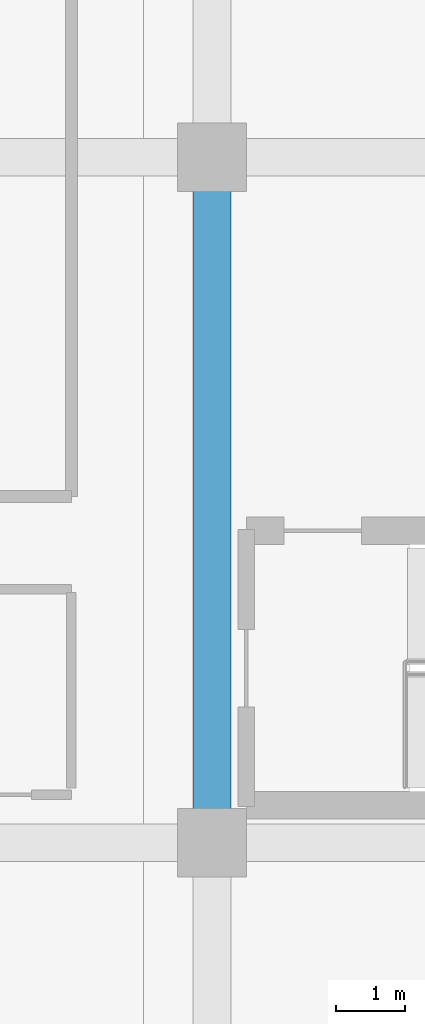
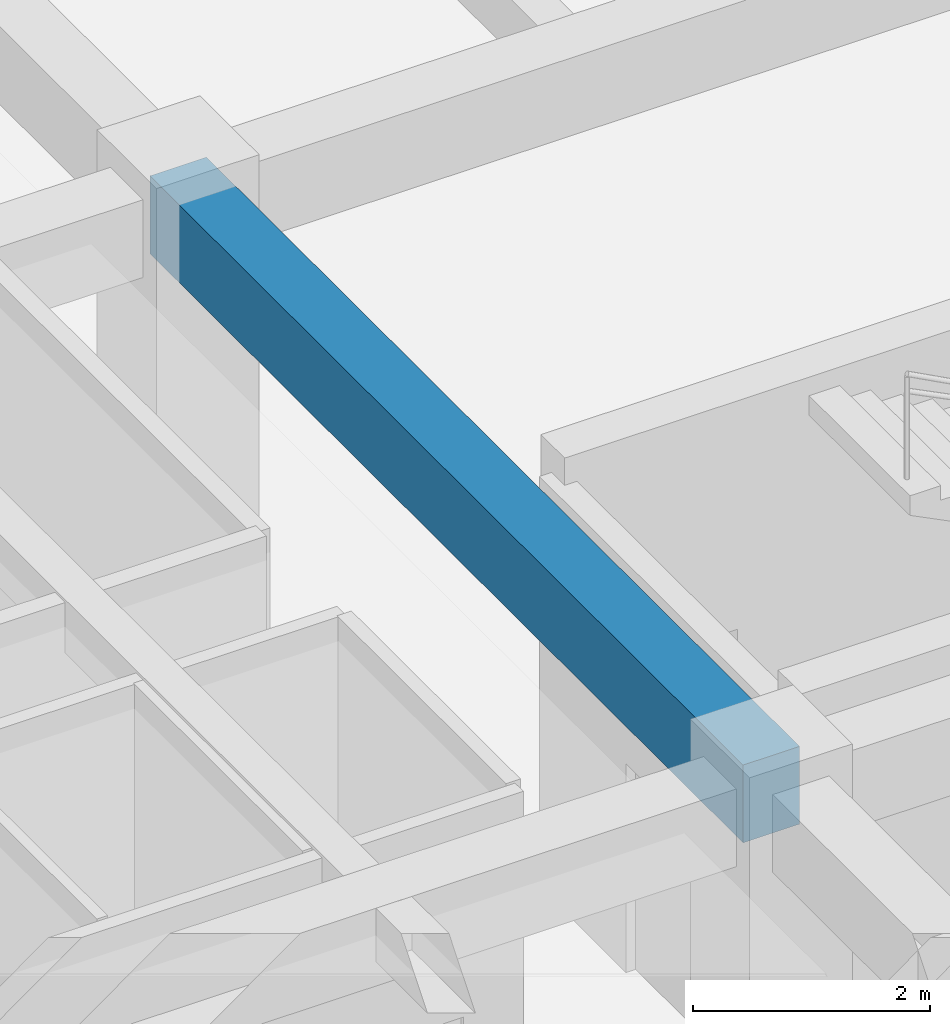
# One storey, part 89 of 154: 1 beam.
"""IFC4 building model written with IfcOpenShell, lengths in metres."""

from ifc_helpers import new_model, si_unit, direction, frame, origin, origin_2d, place, context, subcontext, project, spatial, rectangle, extrude, material, material_profile, profile_set, type_object, element, save


model = new_model("IFC4")

# Units and contexts
model_context = context("Model", 3, precision=1e-05, world=origin(), true_north=direction((0.0, 1.0)))
body_context = subcontext(model_context, "Body", "Model", "MODEL_VIEW")
ifc_project = project(units=[si_unit("LENGTHUNIT", "METRE"), si_unit("AREAUNIT", "SQUARE_METRE"), si_unit("VOLUMEUNIT", "CUBIC_METRE"), si_unit("PLANEANGLEUNIT", "RADIAN"), si_unit("MASSUNIT", "GRAM", prefix="KILO")], contexts=[model_context])

# Site, building, storey
site_placement = place(None, origin())
site = spatial("IfcSite", under=ifc_project, at=site_placement, CompositionType="ELEMENT")
building_placement = place(site_placement, origin())
building = spatial("IfcBuilding", under=site, at=building_placement, Name="Ologun Quay Terminus", CompositionType="ELEMENT")
storey_placement = place(building_placement, frame((0.0, 0.0, 13.800048828125)))
storey = spatial("IfcBuildingStorey", under=building, at=storey_placement, Name="L03", CompositionType="ELEMENT", Elevation=13.800048828125)

# Beam
ifc_material = material(Name="Concrete C40/50", Category="concrete")
ifc_material_profile = material_profile(ifc_material, rectangle(XDim=0.550048828125, YDim=0.800048828125, at=origin_2d()), Name="RC 550x800")
ifc_profile_set = profile_set([ifc_material_profile], Name="Concrete C40/50")
beam_type = type_object("IfcBeamType", Name="Courtyard Wing Primary Girder 550x800", PredefinedType="BEAM", material=ifc_profile_set)
beam_placement = place(storey_placement, frame((126.5, 94.800048828125, 3.849853515625), z_axis=(0.0, 1.0, 0.0), x_axis=(-1.0, 0.0, 0.0)))
element("IfcBeam", 1, at=beam_placement, inside=storey, type_object=beam_type, Name="B4 Beam 12/H L03", PredefinedType="BEAM", context=body_context, shape_type="SweptSolid", body=[
    extrude(rectangle(XDim=0.550048828125, YDim=0.800048828125, at=origin_2d()), origin(), (0.0, 0.0, 1.0), 10.0),
])

save(model, "model.ifc")
